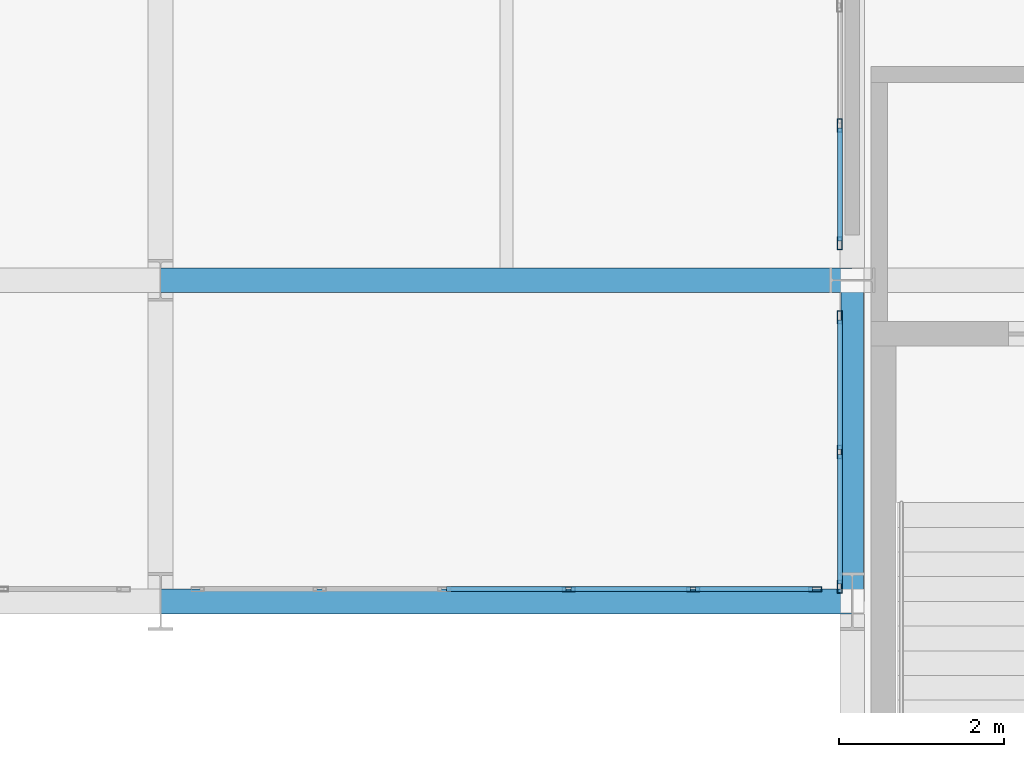
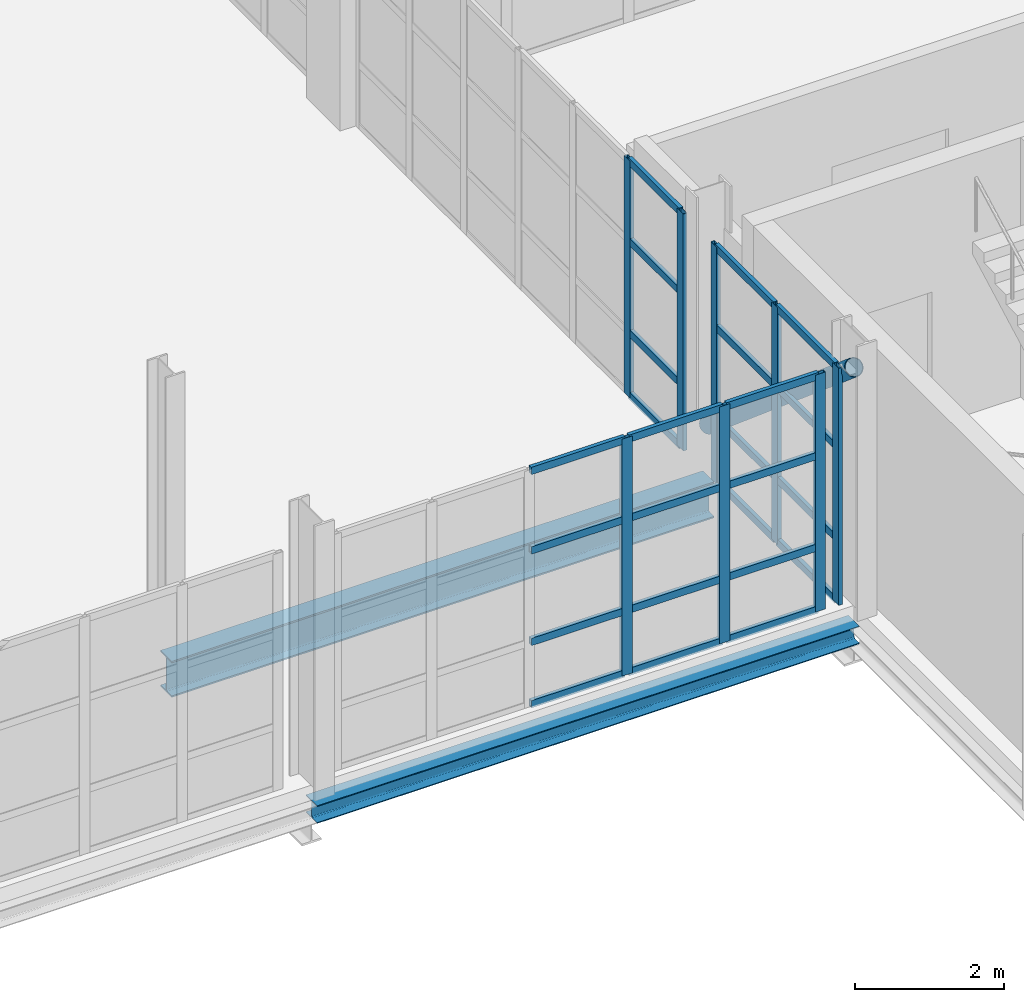
# One storey, part 14 of 109: 33 members, 2 beams, 3 elements without a shape of their own.
"""IFC4 building model written with IfcOpenShell, lengths in metres."""

import ifcopenshell
import ifcopenshell.guid

model = None  # the IFC model being written
_history = None  # IfcOwnerHistory: only IFC2X3 demands one
_inside = {}  # id of a spatial element -> (the spatial element, [elements in it])
_under = {}  # id of a project, library or spatial element -> (it, [spatial elements below it])
_declared = {}  # id of a project -> (the project, [libraries it declares])
_typed = {}  # id of a type object -> (the type object, [elements of that type])
_made_of = {}  # id of a material, layer set ... -> (it, [elements and type objects made of it])


def new_model(schema):
    """Start an empty IFC model of exactly this schema.

    Asked for "IFC4X3", IfcOpenShell would pick the latest addendum, in which some entities
    have other attributes; the version numbers below select the first issue.
    IFC2X3 requires an IfcOwnerHistory on every rooted entity: one is made here for all.
    """
    global model, _history
    if schema == "IFC4X3":
        model = ifcopenshell.file(schema_version=(4, 3, 0, 0))
    else:
        model = ifcopenshell.file(schema=schema)
    _inside.clear()
    _under.clear()
    _declared.clear()
    _typed.clear()
    _made_of.clear()
    _history = None
    if model.schema == "IFC2X3":
        org = make("IfcOrganization", Name="unknown")
        user = make(
            "IfcPersonAndOrganization",
            ThePerson=make("IfcPerson", FamilyName="unknown"),
            TheOrganization=org,
        )
        app = make(
            "IfcApplication",
            ApplicationDeveloper=org,
            Version="unknown",
            ApplicationFullName="unknown",
            ApplicationIdentifier="unknown",
        )
        _history = make(
            "IfcOwnerHistory",
            OwningUser=user,
            OwningApplication=app,
            ChangeAction="ADDED",
            CreationDate=0,
        )
    return model


def make(cls, **values):
    """One entity of the class cls with the attributes given. An attribute that is None is left unset."""
    return model.create_entity(
        cls, **{name: value for name, value in values.items() if value is not None}
    )


def rooted(cls, **values):
    """An entity with a GlobalId (a new one), such as an element, a storey or a relation."""
    return make(cls, GlobalId=ifcopenshell.guid.new(), OwnerHistory=_history, **values)


def si_unit(unit_type, name, prefix=None):
    """IfcSIUnit, for example si_unit("LENGTHUNIT", "METRE", prefix="MILLI")."""
    return make("IfcSIUnit", UnitType=unit_type, Prefix=prefix, Name=name)


def assignment(units):
    """IfcUnitAssignment: the units of a project."""
    return None if units is None else make("IfcUnitAssignment", Units=units)


def point(xyz):
    """IfcCartesianPoint."""
    return None if xyz is None else make("IfcCartesianPoint", Coordinates=xyz)


def direction(xyz):
    """IfcDirection."""
    return None if xyz is None else make("IfcDirection", DirectionRatios=xyz)


def frame(location, z_axis=None, x_axis=None):
    """IfcAxis2Placement3D, a coordinate frame: its origin and axes. An axis left out is left unset."""
    return make(
        "IfcAxis2Placement3D",
        Location=point(location),
        Axis=direction(z_axis),
        RefDirection=direction(x_axis),
    )


def frame_2d(location, x_axis=None):
    """IfcAxis2Placement2D, a coordinate frame in the plane: its origin and x axis."""
    return make(
        "IfcAxis2Placement2D", Location=point(location), RefDirection=direction(x_axis)
    )


def origin():
    """The frame at (0, 0, 0) with its axes left unset."""
    return frame((0.0, 0.0, 0.0))


def origin_2d():
    """The frame at (0, 0) in the plane with its x axis left unset."""
    return frame_2d((0.0, 0.0))


def place(relative_to, where):
    """IfcLocalPlacement: puts the frame where relative to a parent placement (None: the world)."""
    return make(
        "IfcLocalPlacement", PlacementRelTo=relative_to, RelativePlacement=where
    )


def context(
    kind, dimensions, precision=None, world=None, true_north=None, identifier=None
):
    """IfcGeometricRepresentationContext, for example the 3D "Model" context."""
    return make(
        "IfcGeometricRepresentationContext",
        ContextIdentifier=identifier,
        ContextType=kind,
        CoordinateSpaceDimension=dimensions,
        Precision=precision,
        WorldCoordinateSystem=world,
        TrueNorth=true_north,
    )


def subcontext(parent, identifier, kind, view, scale=None):
    """IfcGeometricRepresentationSubContext, for example "Body" below "Model"."""
    return make(
        "IfcGeometricRepresentationSubContext",
        ContextIdentifier=identifier,
        ContextType=kind,
        ParentContext=parent,
        TargetScale=scale,
        TargetView=view,
    )


def project(units=None, contexts=None):
    """IfcProject with its units and contexts."""
    return rooted(
        "IfcProject",
        Name="project",
        RepresentationContexts=contexts,
        UnitsInContext=assignment(units),
    )


def spatial(cls, under=None, at=None, **own):
    """A site, building, storey or space (cls), placed at a placement, below another one or the project."""
    s = rooted(cls, ObjectPlacement=at, **own)
    if under is not None:
        _under.setdefault(under.id(), (under, []))[1].append(s)
    return s


def profile(cls, at=None, kind="AREA", **sizes):
    """A parametric profile (cls). Its sizes go by their IFC names, for example OverallWidth=200.0."""
    return make(cls, ProfileType=kind, Position=at, **sizes)


def hollow_rectangle(**sizes):
    """IfcRectangleHollowProfileDef."""
    return profile("IfcRectangleHollowProfileDef", **sizes)


def hollow_circle(**sizes):
    """IfcCircleHollowProfileDef."""
    return profile("IfcCircleHollowProfileDef", **sizes)


def i_section(**sizes):
    """IfcIShapeProfileDef."""
    return profile("IfcIShapeProfileDef", **sizes)


def extrude(swept, where, along, depth):
    """IfcExtrudedAreaSolid: the profile swept, set in the frame where, extruded along a direction by depth."""
    return make(
        "IfcExtrudedAreaSolid",
        SweptArea=swept,
        Position=where,
        ExtrudedDirection=direction(along),
        Depth=depth,
    )


def shape(context_of_items, identifier, shape_type, items):
    """IfcShapeRepresentation: the items that make up one representation, for example the "Body"."""
    return make(
        "IfcShapeRepresentation",
        ContextOfItems=context_of_items,
        RepresentationIdentifier=identifier,
        RepresentationType=shape_type,
        Items=items,
    )


def material(Name=None, Category=None):
    """IfcMaterial."""
    return make("IfcMaterial", Name=Name, Category=Category)


def material_profile(
    of_material, cross_section, Name=None, Category=None, Priority=None
):
    """IfcMaterialProfile: a cross section and its material."""
    return make(
        "IfcMaterialProfile",
        Name=Name,
        Material=of_material,
        Profile=cross_section,
        Priority=Priority,
        Category=Category,
    )


def profile_set(profiles, Name=None, composite=None):
    """IfcMaterialProfileSet."""
    return make(
        "IfcMaterialProfileSet",
        Name=Name,
        MaterialProfiles=profiles,
        CompositeProfile=composite,
    )


def made_of(thing, what):
    """Note that an element or type object is made of a material, layer set ...; save() writes the relation."""
    if what is not None:
        _made_of.setdefault(what.id(), (what, []))[1].append(thing)
    return thing


def type_object(cls, material=None, **own):
    """A type object (cls), such as IfcWallType, which elements share."""
    return made_of(rooted(cls, **own), material)


def element(
    cls,
    number,
    at=None,
    inside=None,
    cuts=None,
    type_object=None,
    material=None,
    context=None,
    identifier="Body",
    shape_type=None,
    held_by="IfcProductDefinitionShape",
    body=None,
    shapes=None,
    **own,
):
    """One element of the class cls, such as IfcWall. Its Tag is "e" and its number.

    at: its placement. inside: the storey or other place that contains it. cuts: it is an
    opening in that element (IfcRelVoidsElement). A single representation is given by context,
    identifier, shape_type and body (its items); several are given by shapes. held_by: the class
    of the entity that holds the representations. save() writes the other relations.
    """
    e = rooted(cls, Tag="e%d" % number, ObjectPlacement=at, **own)
    if body is not None:
        shapes = [shape(context, identifier, shape_type, body)]
    if shapes is not None:
        e.Representation = make(held_by, Representations=shapes)
    if inside is not None:
        _inside.setdefault(inside.id(), (inside, []))[1].append(e)
    if cuts is not None:
        rooted(
            "IfcRelVoidsElement", RelatingBuildingElement=cuts, RelatedOpeningElement=e
        )
    if type_object is not None:
        _typed.setdefault(type_object.id(), (type_object, []))[1].append(e)
    return made_of(e, material)


def aggregate(whole, parts):
    """IfcRelAggregates: a whole, such as a stair, and the parts it consists of."""
    return rooted("IfcRelAggregates", RelatingObject=whole, RelatedObjects=parts)


def save(model, path):
    """Write the relations noted so far, then the file.

    IfcRelAggregates (storeys below a building ...), IfcRelContainedInSpatialStructure (elements
    in a storey), IfcRelDefinesByType, IfcRelAssociatesMaterial and IfcRelDeclares: one each for
    every whole, place, type object, material and project.
    """
    for whole, parts in _under.values():
        aggregate(whole, parts)
    for where, things in _inside.values():
        rooted(
            "IfcRelContainedInSpatialStructure",
            RelatedElements=things,
            RelatingStructure=where,
        )
    for kind, things in _typed.values():
        rooted("IfcRelDefinesByType", RelatedObjects=things, RelatingType=kind)
    for what, things in _made_of.values():
        rooted("IfcRelAssociatesMaterial", RelatedObjects=things, RelatingMaterial=what)
    for by, libraries in _declared.values():
        rooted("IfcRelDeclares", RelatingContext=by, RelatedDefinitions=libraries)
    model.write(path)


model = new_model("IFC4")

# Units and contexts
model_context = context("Model", 3, precision=1e-05, world=origin(), true_north=direction((0.0, 1.0)))
body_context = subcontext(model_context, "Body", "Model", "MODEL_VIEW")
ifc_project = project(units=[si_unit("LENGTHUNIT", "METRE"), si_unit("AREAUNIT", "SQUARE_METRE"), si_unit("VOLUMEUNIT", "CUBIC_METRE"), si_unit("PLANEANGLEUNIT", "RADIAN"), si_unit("MASSUNIT", "GRAM", prefix="KILO")], contexts=[model_context])

# Site, building, storey
site_placement = place(None, origin())
site = spatial("IfcSite", under=ifc_project, at=site_placement, CompositionType="ELEMENT")
building_placement = place(site_placement, origin())
building = spatial("IfcBuilding", under=site, at=building_placement, Name="Veltarok Museum of Natural Sciences", CompositionType="ELEMENT")
storey_placement = place(building_placement, frame((0.0, 0.0, 17.39990234375)))
storey = spatial("IfcBuildingStorey", under=building, at=storey_placement, Name="L03", CompositionType="ELEMENT", Elevation=17.39990234375)

# Curtain wall, members
ifc_material_1 = material(Name="Low-iron triple insulated glass", Category="glass")
curtain_wall_type_1 = type_object("IfcCurtainWallType", Name="Curtain Wall System CW-BRG-S-L03-3-756x388 (Bridge South Cantilever L03 3-4 756x388cm)", PredefinedType="NOTDEFINED", material=ifc_material_1)
curtain_wall_1_placement = place(storey_placement, origin())
curtain_wall_1 = element("IfcCurtainWall", 1, at=curtain_wall_1_placement, inside=storey, type_object=curtain_wall_type_1, Name="Curtain Wall CW-BRG-S-L03-3-756x388 CW-0039", PredefinedType="NOTDEFINED")
ifc_material_2 = material(Name="Thermally broken anodised aluminium", Category="aluminium")
ifc_material_profile_1 = material_profile(ifc_material_2, hollow_rectangle(XDim=0.06005859375, YDim=0.1201171875, WallThickness=0.0048828125, at=origin_2d()), Name="CW TRANSOM 60x120x5")
ifc_profile_set_1 = profile_set([ifc_material_profile_1], Name="Thermally broken anodised aluminium")
member_type_1 = type_object("IfcMemberType", Name="Curtain Wall Horizontal Transom 60x120x5", PredefinedType="USERDEFINED", material=ifc_profile_set_1)
member_1_placement = place(storey_placement, frame((26.674072265625, 5.85009765625, 0.030029296875), z_axis=(1.0, 0.0, 0.0), x_axis=(0.0, 1.0, 0.0)))
member_1 = element("IfcMember", 2, at=member_1_placement, type_object=member_type_1, Name="CW-BRG-S-L03-3-756x388 transom 3.1", ObjectType="TRANSOM", PredefinedType="USERDEFINED", context=body_context, shape_type="SweptSolid", body=[
    extrude(hollow_rectangle(XDim=0.06005859375, YDim=0.1201171875, WallThickness=0.0048828125, at=origin_2d()), origin(), (0.0, 0.0, 1.0), 1.451904296875),
])
member_2_placement = place(storey_placement, frame((26.674072265625, 5.85009765625, 1.050048828125), z_axis=(1.0, 0.0, 0.0), x_axis=(0.0, 1.0, 0.0)))
member_2 = element("IfcMember", 3, at=member_2_placement, type_object=member_type_1, Name="CW-BRG-S-L03-3-756x388 transom 3.2", ObjectType="TRANSOM", PredefinedType="USERDEFINED", context=body_context, shape_type="SweptSolid", body=[
    extrude(hollow_rectangle(XDim=0.06005859375, YDim=0.1201171875, WallThickness=0.0048828125, at=origin_2d()), origin(), (0.0, 0.0, 1.0), 1.451904296875),
])
member_3_placement = place(storey_placement, frame((26.674072265625, 5.85009765625, 2.550048828125), z_axis=(1.0, 0.0, 0.0), x_axis=(0.0, 1.0, 0.0)))
member_3 = element("IfcMember", 4, at=member_3_placement, type_object=member_type_1, Name="CW-BRG-S-L03-3-756x388 transom 3.3", ObjectType="TRANSOM", PredefinedType="USERDEFINED", context=body_context, shape_type="SweptSolid", body=[
    extrude(hollow_rectangle(XDim=0.06005859375, YDim=0.1201171875, WallThickness=0.0048828125, at=origin_2d()), origin(), (0.0, 0.0, 1.0), 1.451904296875),
])
member_4_placement = place(storey_placement, frame((26.674072265625, 5.85009765625, 3.85009765625), z_axis=(1.0, 0.0, 0.0), x_axis=(0.0, 1.0, 0.0)))
member_4 = element("IfcMember", 5, at=member_4_placement, type_object=member_type_1, Name="CW-BRG-S-L03-3-756x388 transom 3.4", ObjectType="TRANSOM", PredefinedType="USERDEFINED", context=body_context, shape_type="SweptSolid", body=[
    extrude(hollow_rectangle(XDim=0.06005859375, YDim=0.1201171875, WallThickness=0.0048828125, at=origin_2d()), origin(), (0.0, 0.0, 1.0), 1.451904296875),
])
member_5_placement = place(storey_placement, frame((28.18603515625, 5.85009765625, 0.030029296875), z_axis=(1.0, 0.0, 0.0), x_axis=(0.0, 1.0, 0.0)))
member_5 = element("IfcMember", 6, at=member_5_placement, type_object=member_type_1, Name="CW-BRG-S-L03-3-756x388 transom 4.1", ObjectType="TRANSOM", PredefinedType="USERDEFINED", context=body_context, shape_type="SweptSolid", body=[
    extrude(hollow_rectangle(XDim=0.06005859375, YDim=0.1201171875, WallThickness=0.0048828125, at=origin_2d()), origin(), (0.0, 0.0, 1.0), 1.451904296875),
])
member_6_placement = place(storey_placement, frame((28.18603515625, 5.85009765625, 1.050048828125), z_axis=(1.0, 0.0, 0.0), x_axis=(0.0, 1.0, 0.0)))
member_6 = element("IfcMember", 7, at=member_6_placement, type_object=member_type_1, Name="CW-BRG-S-L03-3-756x388 transom 4.2", ObjectType="TRANSOM", PredefinedType="USERDEFINED", context=body_context, shape_type="SweptSolid", body=[
    extrude(hollow_rectangle(XDim=0.06005859375, YDim=0.1201171875, WallThickness=0.0048828125, at=origin_2d()), origin(), (0.0, 0.0, 1.0), 1.451904296875),
])
member_7_placement = place(storey_placement, frame((28.18603515625, 5.85009765625, 2.550048828125), z_axis=(1.0, 0.0, 0.0), x_axis=(0.0, 1.0, 0.0)))
member_7 = element("IfcMember", 8, at=member_7_placement, type_object=member_type_1, Name="CW-BRG-S-L03-3-756x388 transom 4.3", ObjectType="TRANSOM", PredefinedType="USERDEFINED", context=body_context, shape_type="SweptSolid", body=[
    extrude(hollow_rectangle(XDim=0.06005859375, YDim=0.1201171875, WallThickness=0.0048828125, at=origin_2d()), origin(), (0.0, 0.0, 1.0), 1.451904296875),
])
member_8_placement = place(storey_placement, frame((28.18603515625, 5.85009765625, 3.85009765625), z_axis=(1.0, 0.0, 0.0), x_axis=(0.0, 1.0, 0.0)))
member_8 = element("IfcMember", 9, at=member_8_placement, type_object=member_type_1, Name="CW-BRG-S-L03-3-756x388 transom 4.4", ObjectType="TRANSOM", PredefinedType="USERDEFINED", context=body_context, shape_type="SweptSolid", body=[
    extrude(hollow_rectangle(XDim=0.06005859375, YDim=0.1201171875, WallThickness=0.0048828125, at=origin_2d()), origin(), (0.0, 0.0, 1.0), 1.451904296875),
])
member_9_placement = place(storey_placement, frame((29.697998046875, 5.85009765625, 0.030029296875), z_axis=(1.0, 0.0, 0.0), x_axis=(0.0, 1.0, 0.0)))
member_9 = element("IfcMember", 10, at=member_9_placement, type_object=member_type_1, Name="CW-BRG-S-L03-3-756x388 transom 5.1", ObjectType="TRANSOM", PredefinedType="USERDEFINED", context=body_context, shape_type="SweptSolid", body=[
    extrude(hollow_rectangle(XDim=0.06005859375, YDim=0.1201171875, WallThickness=0.0048828125, at=origin_2d()), origin(), (0.0, 0.0, 1.0), 1.422119140625),
])
member_10_placement = place(storey_placement, frame((29.697998046875, 5.85009765625, 1.050048828125), z_axis=(1.0, 0.0, 0.0), x_axis=(0.0, 1.0, 0.0)))
member_10 = element("IfcMember", 11, at=member_10_placement, type_object=member_type_1, Name="CW-BRG-S-L03-3-756x388 transom 5.2", ObjectType="TRANSOM", PredefinedType="USERDEFINED", context=body_context, shape_type="SweptSolid", body=[
    extrude(hollow_rectangle(XDim=0.06005859375, YDim=0.1201171875, WallThickness=0.0048828125, at=origin_2d()), origin(), (0.0, 0.0, 1.0), 1.422119140625),
])
member_11_placement = place(storey_placement, frame((29.697998046875, 5.85009765625, 2.550048828125), z_axis=(1.0, 0.0, 0.0), x_axis=(0.0, 1.0, 0.0)))
member_11 = element("IfcMember", 12, at=member_11_placement, type_object=member_type_1, Name="CW-BRG-S-L03-3-756x388 transom 5.3", ObjectType="TRANSOM", PredefinedType="USERDEFINED", context=body_context, shape_type="SweptSolid", body=[
    extrude(hollow_rectangle(XDim=0.06005859375, YDim=0.1201171875, WallThickness=0.0048828125, at=origin_2d()), origin(), (0.0, 0.0, 1.0), 1.422119140625),
])
member_12_placement = place(storey_placement, frame((29.697998046875, 5.85009765625, 3.85009765625), z_axis=(1.0, 0.0, 0.0), x_axis=(0.0, 1.0, 0.0)))
member_12 = element("IfcMember", 13, at=member_12_placement, type_object=member_type_1, Name="CW-BRG-S-L03-3-756x388 transom 5.4", ObjectType="TRANSOM", PredefinedType="USERDEFINED", context=body_context, shape_type="SweptSolid", body=[
    extrude(hollow_rectangle(XDim=0.06005859375, YDim=0.1201171875, WallThickness=0.0048828125, at=origin_2d()), origin(), (0.0, 0.0, 1.0), 1.422119140625),
])

curtain_wall_type_2 = type_object("IfcCurtainWallType", Name="Curtain Wall System CW-BRG-E-L03-CANT-333x388 (Bridge East Court L03 CANT 333x388cm)", PredefinedType="NOTDEFINED", material=ifc_material_1)
curtain_wall_2_placement = place(storey_placement, origin())
curtain_wall_2 = element("IfcCurtainWall", 14, at=curtain_wall_2_placement, inside=storey, type_object=curtain_wall_type_2, Name="Curtain Wall CW-BRG-E-L03-CANT-333x388 CW-0040", PredefinedType="NOTDEFINED")
member_13_placement = place(storey_placement, frame((31.449951171875, 5.909912109375, 0.030029296875), z_axis=(0.0, 1.0, 0.0), x_axis=(-1.0, 0.0, 0.0)))
member_13 = element("IfcMember", 15, at=member_13_placement, type_object=member_type_1, Name="CW-BRG-E-L03-CANT-333x388 transom 1.1", ObjectType="TRANSOM", PredefinedType="USERDEFINED", context=body_context, shape_type="SweptSolid", body=[
    extrude(hollow_rectangle(XDim=0.06005859375, YDim=0.1201171875, WallThickness=0.0048828125, at=origin_2d()), origin(), (0.0, 0.0, 1.0), 1.5751953125),
])
member_14_placement = place(storey_placement, frame((31.449951171875, 5.909912109375, 1.050048828125), z_axis=(0.0, 1.0, 0.0), x_axis=(-1.0, 0.0, 0.0)))
member_14 = element("IfcMember", 16, at=member_14_placement, type_object=member_type_1, Name="CW-BRG-E-L03-CANT-333x388 transom 1.2", ObjectType="TRANSOM", PredefinedType="USERDEFINED", context=body_context, shape_type="SweptSolid", body=[
    extrude(hollow_rectangle(XDim=0.06005859375, YDim=0.1201171875, WallThickness=0.0048828125, at=origin_2d()), origin(), (0.0, 0.0, 1.0), 1.5751953125),
])
member_15_placement = place(storey_placement, frame((31.449951171875, 5.909912109375, 2.550048828125), z_axis=(0.0, 1.0, 0.0), x_axis=(-1.0, 0.0, 0.0)))
member_15 = element("IfcMember", 17, at=member_15_placement, type_object=member_type_1, Name="CW-BRG-E-L03-CANT-333x388 transom 1.3", ObjectType="TRANSOM", PredefinedType="USERDEFINED", context=body_context, shape_type="SweptSolid", body=[
    extrude(hollow_rectangle(XDim=0.06005859375, YDim=0.1201171875, WallThickness=0.0048828125, at=origin_2d()), origin(), (0.0, 0.0, 1.0), 1.5751953125),
])
member_16_placement = place(storey_placement, frame((31.449951171875, 5.909912109375, 3.85009765625), z_axis=(0.0, 1.0, 0.0), x_axis=(-1.0, 0.0, 0.0)))
member_16 = element("IfcMember", 18, at=member_16_placement, type_object=member_type_1, Name="CW-BRG-E-L03-CANT-333x388 transom 1.4", ObjectType="TRANSOM", PredefinedType="USERDEFINED", context=body_context, shape_type="SweptSolid", body=[
    extrude(hollow_rectangle(XDim=0.06005859375, YDim=0.1201171875, WallThickness=0.0048828125, at=origin_2d()), origin(), (0.0, 0.0, 1.0), 1.5751953125),
])
member_17_placement = place(storey_placement, frame((31.449951171875, 7.544921875, 0.030029296875), z_axis=(0.0, 1.0, 0.0), x_axis=(-1.0, 0.0, 0.0)))
member_17 = element("IfcMember", 19, at=member_17_placement, type_object=member_type_1, Name="CW-BRG-E-L03-CANT-333x388 transom 2.1", ObjectType="TRANSOM", PredefinedType="USERDEFINED", context=body_context, shape_type="SweptSolid", body=[
    extrude(hollow_rectangle(XDim=0.06005859375, YDim=0.1201171875, WallThickness=0.0048828125, at=origin_2d()), origin(), (0.0, 0.0, 1.0), 1.5751953125),
])
member_18_placement = place(storey_placement, frame((31.449951171875, 7.544921875, 1.050048828125), z_axis=(0.0, 1.0, 0.0), x_axis=(-1.0, 0.0, 0.0)))
member_18 = element("IfcMember", 20, at=member_18_placement, type_object=member_type_1, Name="CW-BRG-E-L03-CANT-333x388 transom 2.2", ObjectType="TRANSOM", PredefinedType="USERDEFINED", context=body_context, shape_type="SweptSolid", body=[
    extrude(hollow_rectangle(XDim=0.06005859375, YDim=0.1201171875, WallThickness=0.0048828125, at=origin_2d()), origin(), (0.0, 0.0, 1.0), 1.5751953125),
])
member_19_placement = place(storey_placement, frame((31.449951171875, 7.544921875, 2.550048828125), z_axis=(0.0, 1.0, 0.0), x_axis=(-1.0, 0.0, 0.0)))
member_19 = element("IfcMember", 21, at=member_19_placement, type_object=member_type_1, Name="CW-BRG-E-L03-CANT-333x388 transom 2.3", ObjectType="TRANSOM", PredefinedType="USERDEFINED", context=body_context, shape_type="SweptSolid", body=[
    extrude(hollow_rectangle(XDim=0.06005859375, YDim=0.1201171875, WallThickness=0.0048828125, at=origin_2d()), origin(), (0.0, 0.0, 1.0), 1.5751953125),
])
member_20_placement = place(storey_placement, frame((31.449951171875, 7.544921875, 3.85009765625), z_axis=(0.0, 1.0, 0.0), x_axis=(-1.0, 0.0, 0.0)))
member_20 = element("IfcMember", 22, at=member_20_placement, type_object=member_type_1, Name="CW-BRG-E-L03-CANT-333x388 transom 2.4", ObjectType="TRANSOM", PredefinedType="USERDEFINED", context=body_context, shape_type="SweptSolid", body=[
    extrude(hollow_rectangle(XDim=0.06005859375, YDim=0.1201171875, WallThickness=0.0048828125, at=origin_2d()), origin(), (0.0, 0.0, 1.0), 1.5751953125),
])

curtain_wall_type_3 = type_object("IfcCurtainWallType", Name="Curtain Wall System CW-BRG-E-L03-BC-876x388 (Bridge East Court L03 BC 876x388cm)", PredefinedType="NOTDEFINED", material=ifc_material_1)
curtain_wall_3_placement = place(storey_placement, origin())
curtain_wall_3 = element("IfcCurtainWall", 23, at=curtain_wall_3_placement, inside=storey, type_object=curtain_wall_type_3, Name="Curtain Wall CW-BRG-E-L03-BC-876x388 CW-0041", PredefinedType="NOTDEFINED")
member_21_placement = place(storey_placement, frame((31.449951171875, 10.080078125, 0.030029296875), z_axis=(0.0, 1.0, 0.0), x_axis=(-1.0, 0.0, 0.0)))
member_21 = element("IfcMember", 24, at=member_21_placement, type_object=member_type_1, Name="CW-BRG-E-L03-BC-876x388 transom 1.1", ObjectType="TRANSOM", PredefinedType="USERDEFINED", context=body_context, shape_type="SweptSolid", body=[
    extrude(hollow_rectangle(XDim=0.06005859375, YDim=0.1201171875, WallThickness=0.0048828125, at=origin_2d()), origin(), (0.0, 0.0, 1.0), 1.369873046875),
])
member_22_placement = place(storey_placement, frame((31.449951171875, 10.080078125, 1.050048828125), z_axis=(0.0, 1.0, 0.0), x_axis=(-1.0, 0.0, 0.0)))
member_22 = element("IfcMember", 25, at=member_22_placement, type_object=member_type_1, Name="CW-BRG-E-L03-BC-876x388 transom 1.2", ObjectType="TRANSOM", PredefinedType="USERDEFINED", context=body_context, shape_type="SweptSolid", body=[
    extrude(hollow_rectangle(XDim=0.06005859375, YDim=0.1201171875, WallThickness=0.0048828125, at=origin_2d()), origin(), (0.0, 0.0, 1.0), 1.369873046875),
])
member_23_placement = place(storey_placement, frame((31.449951171875, 10.080078125, 2.550048828125), z_axis=(0.0, 1.0, 0.0), x_axis=(-1.0, 0.0, 0.0)))
member_23 = element("IfcMember", 26, at=member_23_placement, type_object=member_type_1, Name="CW-BRG-E-L03-BC-876x388 transom 1.3", ObjectType="TRANSOM", PredefinedType="USERDEFINED", context=body_context, shape_type="SweptSolid", body=[
    extrude(hollow_rectangle(XDim=0.06005859375, YDim=0.1201171875, WallThickness=0.0048828125, at=origin_2d()), origin(), (0.0, 0.0, 1.0), 1.369873046875),
])
member_24_placement = place(storey_placement, frame((31.449951171875, 10.080078125, 3.85009765625), z_axis=(0.0, 1.0, 0.0), x_axis=(-1.0, 0.0, 0.0)))
member_24 = element("IfcMember", 27, at=member_24_placement, type_object=member_type_1, Name="CW-BRG-E-L03-BC-876x388 transom 1.4", ObjectType="TRANSOM", PredefinedType="USERDEFINED", context=body_context, shape_type="SweptSolid", body=[
    extrude(hollow_rectangle(XDim=0.06005859375, YDim=0.1201171875, WallThickness=0.0048828125, at=origin_2d()), origin(), (0.0, 0.0, 1.0), 1.369873046875),
])

# Member
ifc_material_profile_2 = material_profile(ifc_material_2, hollow_rectangle(XDim=0.06005859375, YDim=0.159912109375, WallThickness=0.0048828125, at=origin_2d()), Name="CW MULLION 60x160x5")
ifc_profile_set_2 = profile_set([ifc_material_profile_2], Name="Thermally broken anodised aluminium")
member_type_2 = type_object("IfcMemberType", Name="Curtain Wall Vertical Mullion 60x160x5", PredefinedType="MULLION", material=ifc_profile_set_2)
member_25_placement = place(storey_placement, frame((28.156005859375, 5.85009765625, 0.0), z_axis=(0.0, 0.0, 1.0), x_axis=(0.0, 1.0, 0.0)))
member_25 = element("IfcMember", 28, at=member_25_placement, type_object=member_type_2, Name="CW-BRG-S-L03-3-756x388 mullion 4", PredefinedType="MULLION", context=body_context, shape_type="SweptSolid", body=[
    extrude(hollow_rectangle(XDim=0.06005859375, YDim=0.159912109375, WallThickness=0.0048828125, at=origin_2d()), origin(), (0.0, 0.0, 1.0), 3.880126953125),
])

member_26_placement = place(storey_placement, frame((29.66796875, 5.85009765625, 0.0), z_axis=(0.0, 0.0, 1.0), x_axis=(0.0, 1.0, 0.0)))
member_26 = element("IfcMember", 29, at=member_26_placement, type_object=member_type_2, Name="CW-BRG-S-L03-3-756x388 mullion 5", PredefinedType="MULLION", context=body_context, shape_type="SweptSolid", body=[
    extrude(hollow_rectangle(XDim=0.06005859375, YDim=0.159912109375, WallThickness=0.0048828125, at=origin_2d()), origin(), (0.0, 0.0, 1.0), 3.880126953125),
])

member_27_placement = place(storey_placement, frame((31.14990234375, 5.85009765625, 0.0), z_axis=(0.0, 0.0, 1.0), x_axis=(0.0, 1.0, 0.0)))
member_27 = element("IfcMember", 30, at=member_27_placement, type_object=member_type_2, Name="CW-BRG-S-L03-3-756x388 mullion 6", PredefinedType="MULLION", context=body_context, shape_type="SweptSolid", body=[
    extrude(hollow_rectangle(XDim=0.06005859375, YDim=0.159912109375, WallThickness=0.0048828125, at=origin_2d()), origin(), (0.0, 0.0, 1.0), 3.880126953125),
])

aggregate(curtain_wall_1, [member_25, member_26, member_27, member_1, member_2, member_3, member_4, member_5, member_6, member_7, member_8, member_9, member_10, member_11, member_12])

member_28_placement = place(storey_placement, frame((31.449951171875, 5.8798828125, 0.0), z_axis=(0.0, 0.0, 1.0), x_axis=(-1.0, 0.0, 0.0)))
member_28 = element("IfcMember", 31, at=member_28_placement, type_object=member_type_2, Name="CW-BRG-E-L03-CANT-333x388 mullion 1", PredefinedType="MULLION", context=body_context, shape_type="SweptSolid", body=[
    extrude(hollow_rectangle(XDim=0.06005859375, YDim=0.159912109375, WallThickness=0.0048828125, at=origin_2d()), origin(), (0.0, 0.0, 1.0), 3.880126953125),
])

member_29_placement = place(storey_placement, frame((31.449951171875, 7.514892578125, 0.0), z_axis=(0.0, 0.0, 1.0), x_axis=(-1.0, 0.0, 0.0)))
member_29 = element("IfcMember", 32, at=member_29_placement, type_object=member_type_2, Name="CW-BRG-E-L03-CANT-333x388 mullion 2", PredefinedType="MULLION", context=body_context, shape_type="SweptSolid", body=[
    extrude(hollow_rectangle(XDim=0.06005859375, YDim=0.159912109375, WallThickness=0.0048828125, at=origin_2d()), origin(), (0.0, 0.0, 1.0), 3.880126953125),
])

member_30_placement = place(storey_placement, frame((31.449951171875, 9.14990234375, 0.0), z_axis=(0.0, 0.0, 1.0), x_axis=(-1.0, 0.0, 0.0)))
member_30 = element("IfcMember", 33, at=member_30_placement, type_object=member_type_2, Name="CW-BRG-E-L03-CANT-333x388 mullion 3", PredefinedType="MULLION", context=body_context, shape_type="SweptSolid", body=[
    extrude(hollow_rectangle(XDim=0.06005859375, YDim=0.159912109375, WallThickness=0.0048828125, at=origin_2d()), origin(), (0.0, 0.0, 1.0), 3.880126953125),
])

aggregate(curtain_wall_2, [member_28, member_29, member_30, member_13, member_14, member_15, member_16, member_17, member_18, member_19, member_20])

member_31_placement = place(storey_placement, frame((31.449951171875, 10.050048828125, 0.0), z_axis=(0.0, 0.0, 1.0), x_axis=(-1.0, 0.0, 0.0)))
member_31 = element("IfcMember", 34, at=member_31_placement, type_object=member_type_2, Name="CW-BRG-E-L03-BC-876x388 mullion 1", PredefinedType="MULLION", context=body_context, shape_type="SweptSolid", body=[
    extrude(hollow_rectangle(XDim=0.06005859375, YDim=0.159912109375, WallThickness=0.0048828125, at=origin_2d()), origin(), (0.0, 0.0, 1.0), 3.880126953125),
])

member_32_placement = place(storey_placement, frame((31.449951171875, 11.47998046875, 0.0), z_axis=(0.0, 0.0, 1.0), x_axis=(-1.0, 0.0, 0.0)))
member_32 = element("IfcMember", 35, at=member_32_placement, type_object=member_type_2, Name="CW-BRG-E-L03-BC-876x388 mullion 2", PredefinedType="MULLION", context=body_context, shape_type="SweptSolid", body=[
    extrude(hollow_rectangle(XDim=0.06005859375, YDim=0.159912109375, WallThickness=0.0048828125, at=origin_2d()), origin(), (0.0, 0.0, 1.0), 3.880126953125),
])

aggregate(curtain_wall_3, [member_31, member_32, member_21, member_22, member_23, member_24])

# Beams
ifc_material_3 = material(Name="Steel S355J2", Category="steel")
ifc_material_profile_3 = material_profile(ifc_material_3, i_section(OverallWidth=0.300048828125, OverallDepth=0.2900390625, WebThickness=0.008544921875, FlangeThickness=0.013916015625, FilletRadius=0.027099609375, at=origin_2d()), Name="HEA 300")
ifc_profile_set_3 = profile_set([ifc_material_profile_3], Name="Steel S355J2")
beam_type_1 = type_object("IfcBeamType", Name="Glazed Hall Edge Spandrel HEA 300", PredefinedType="SPANDREL", material=ifc_profile_set_3)
beam_1_placement = place(storey_placement, frame((23.199951171875, 5.699951171875, -0.39501953125), z_axis=(1.0, 0.0, 0.0), x_axis=(0.0, 1.0, 0.0)))
element("IfcBeam", 36, at=beam_1_placement, inside=storey, type_object=beam_type_1, Name="Bridge South Edge Spandrel L03 3-4", PredefinedType="SPANDREL", context=body_context, shape_type="SweptSolid", body=[
    extrude(i_section(OverallWidth=0.300048828125, OverallDepth=0.2900390625, WebThickness=0.008544921875, FlangeThickness=0.013916015625, FilletRadius=0.027099609375, at=origin_2d()), origin(), (0.0, 0.0, 1.0), 8.400146484375),
])
ifc_material_profile_4 = material_profile(ifc_material_3, i_section(OverallWidth=0.300048828125, OverallDepth=0.590087890625, WebThickness=0.012939453125, FlangeThickness=0.02490234375, FilletRadius=0.027099609375, at=origin_2d()), Name="HEA 600")
ifc_profile_set_4 = profile_set([ifc_material_profile_4], Name="Steel S355J2")
beam_type_2 = type_object("IfcBeamType", Name="Heavy Archive Girder HEA 600", PredefinedType="BEAM", material=ifc_profile_set_4)
beam_2_placement = place(storey_placement, frame((23.199951171875, 9.60009765625, -0.544921875), z_axis=(1.0, 0.0, 0.0), x_axis=(0.0, 1.0, 0.0)))
element("IfcBeam", 37, at=beam_2_placement, inside=storey, type_object=beam_type_2, Name="Beam BM-G07 L03 3-4/B", PredefinedType="BEAM", context=body_context, shape_type="SweptSolid", body=[
    extrude(i_section(OverallWidth=0.300048828125, OverallDepth=0.590087890625, WebThickness=0.012939453125, FlangeThickness=0.02490234375, FilletRadius=0.027099609375, at=origin_2d()), origin(), (0.0, 0.0, 1.0), 8.400146484375),
])

# Member
ifc_material_4 = material(Name="Oxide-red painted Steel S355J2", Category="steel")
ifc_material_profile_5 = material_profile(ifc_material_4, hollow_circle(Radius=0.136474609375, WallThickness=0.012451171875, at=origin_2d()), Name="CHS 273x12.5")
ifc_profile_set_5 = profile_set([ifc_material_profile_5], Name="Oxide-red painted Steel S355J2")
member_type_3 = type_object("IfcMemberType", Name="Transfer Truss Web Diagonal CHS 273x12.5", PredefinedType="BRACE", material=ifc_profile_set_5)
member_33_placement = place(storey_placement, frame((31.60009765625, 9.60009765625, 0.60009765625), z_axis=(0.0, -0.763393535726, 0.645933672765), x_axis=(1.0, 0.0, 0.0)))
element("IfcMember", 38, at=member_33_placement, inside=storey, type_object=member_type_3, Name="Bridge Cantilever Raking Strut L04 4", PredefinedType="BRACE", context=body_context, shape_type="SweptSolid", body=[
    extrude(hollow_circle(Radius=0.136474609375, WallThickness=0.012451171875, at=origin_2d()), origin(), (0.0, 0.0, 1.0), 5.10888671875),
])

save(model, "model.ifc")
